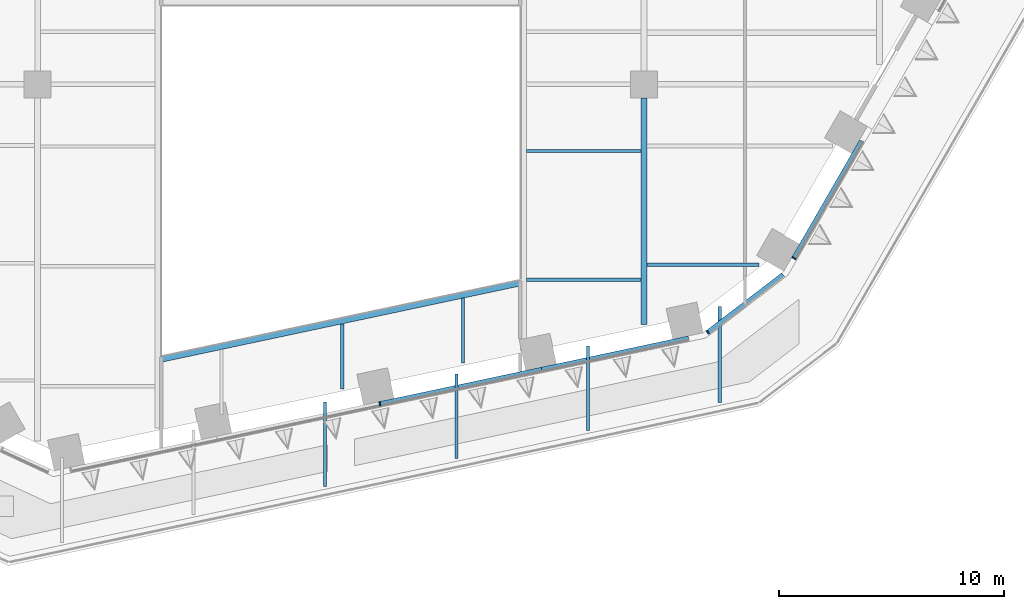
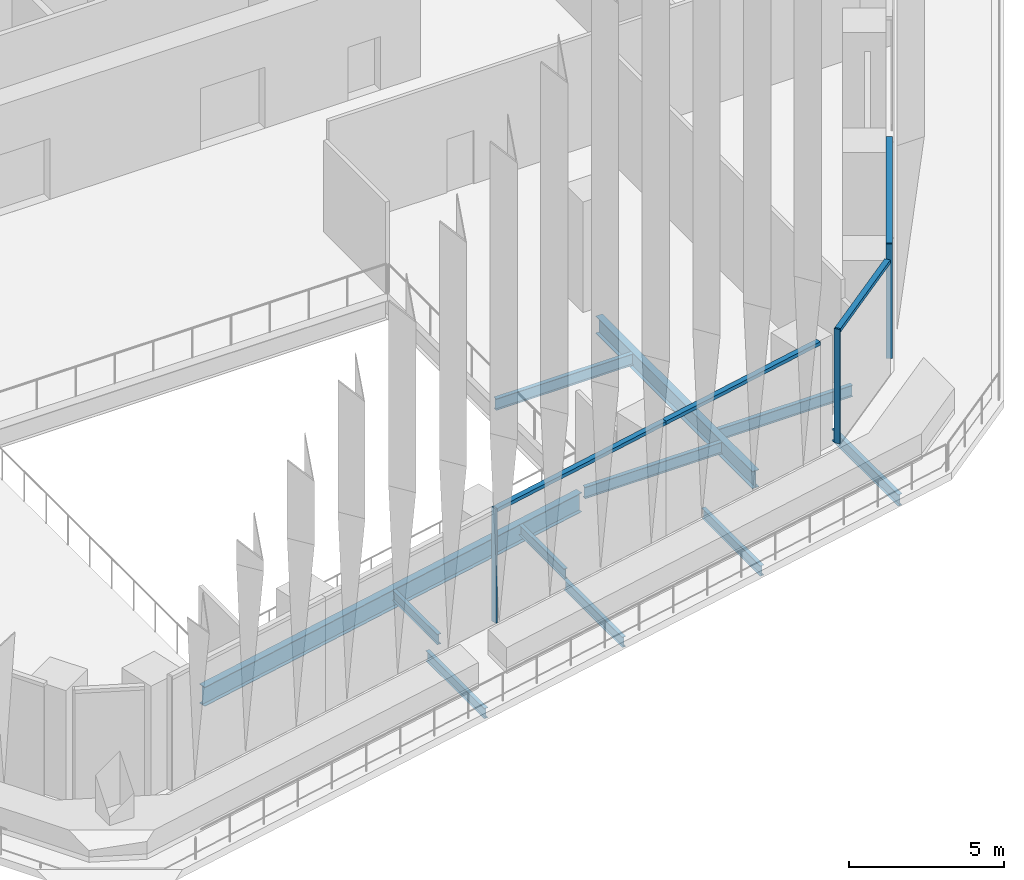
# One storey, part 4 of 27: 11 beams, 7 members, 3 elements without a shape of their own.
"""IFC4 building model written with IfcOpenShell, lengths in metres."""

from ifc_helpers import new_model, si_unit, direction, frame, origin, origin_2d, place, context, subcontext, project, spatial, rectangle, i_section, extrude, material, layer, layer_set, material_profile, profile_set, type_object, element, aggregate, save


model = new_model("IFC4")

# Units and contexts
model_context = context("Model", 3, precision=1e-05, world=origin(), true_north=direction((0.0, 1.0)))
body_context = subcontext(model_context, "Body", "Model", "MODEL_VIEW")
ifc_project = project(units=[si_unit("LENGTHUNIT", "METRE"), si_unit("AREAUNIT", "SQUARE_METRE"), si_unit("VOLUMEUNIT", "CUBIC_METRE"), si_unit("PLANEANGLEUNIT", "RADIAN"), si_unit("MASSUNIT", "GRAM", prefix="KILO")], contexts=[model_context])

# Site, building, storey
site_placement = place(None, origin())
site = spatial("IfcSite", under=ifc_project, at=site_placement, CompositionType="ELEMENT")
building_placement = place(site_placement, origin())
building = spatial("IfcBuilding", under=site, at=building_placement, Name="Isthmus Gate Tower", CompositionType="ELEMENT")
storey_placement = place(building_placement, frame((0.0, 0.0, 121.64990234375)))
storey = spatial("IfcBuildingStorey", under=building, at=storey_placement, Name="L29", CompositionType="ELEMENT", Elevation=121.64990234375)

# Curtain wall, member
ifc_material_1 = material(Name="Aluminium, pale champagne anodised", Category="aluminium")
ifc_layer = layer(ifc_material_1, 0.199951171875)
ifc_layer_set = layer_set([ifc_layer], Name="CW-1 UNITISED CURTAIN WALL 200 DEEP")
curtain_wall_type = type_object("IfcCurtainWallType", Name="CW-1 UNITISED CURTAIN WALL 200 DEEP", PredefinedType="NOTDEFINED", material=ifc_layer_set)
curtain_wall_1_placement = place(storey_placement, origin())
curtain_wall_1 = element("IfcCurtainWall", 1, at=curtain_wall_1_placement, inside=storey, type_object=curtain_wall_type, Name="CW-1 S L29", PredefinedType="NOTDEFINED")
ifc_material_2 = material(Name="Aluminium, pale champagne anodised", Category="aluminium")
ifc_material_profile_1 = material_profile(ifc_material_2, rectangle(XDim=0.06005859375, YDim=0.199951171875, at=origin_2d()), Name="60x200")
ifc_profile_set_1 = profile_set([ifc_material_profile_1], Name="Aluminium, pale champagne anodised")
member_type_1 = type_object("IfcMemberType", Name="CW-1 MULLION 60 X 200", PredefinedType="MULLION", material=ifc_profile_set_1)
member_1_placement = place(storey_placement, frame((1.740234375, -27.732421875, 0.0), z_axis=(0.0, 0.0, 1.0), x_axis=(0.978147600734, 0.207911690818, 0.0)))
member_1 = element("IfcMember", 2, at=member_1_placement, type_object=member_type_1, Name="CW-1 mullion", PredefinedType="MULLION", context=body_context, shape_type="SweptSolid", body=[
    extrude(rectangle(XDim=0.06005859375, YDim=0.199951171875, at=origin_2d()), origin(), (0.0, 0.0, 1.0), 4.5),
])

curtain_wall_2_placement = place(storey_placement, origin())
curtain_wall_2 = element("IfcCurtainWall", 3, at=curtain_wall_2_placement, inside=storey, type_object=curtain_wall_type, Name="CW-1 S-SE L29", PredefinedType="NOTDEFINED")
member_2_placement = place(storey_placement, frame((16.346435546875, -24.5419921875, 0.0), z_axis=(0.0, 0.0, 1.0), x_axis=(0.794188594387, 0.607671355706, 0.0)))
member_2 = element("IfcMember", 4, at=member_2_placement, type_object=member_type_1, Name="CW-1 mullion", PredefinedType="MULLION", context=body_context, shape_type="SweptSolid", body=[
    extrude(rectangle(XDim=0.06005859375, YDim=0.199951171875, at=origin_2d()), origin(), (0.0, 0.0, 1.0), 4.5),
])

curtain_wall_3_placement = place(storey_placement, origin())
curtain_wall_3 = element("IfcCurtainWall", 5, at=curtain_wall_3_placement, inside=storey, type_object=curtain_wall_type, Name="CW-1 SE L29", PredefinedType="NOTDEFINED")
member_3_placement = place(storey_placement, frame((20.18115234375, -21.245361328125, 0.0), z_axis=(0.0, 0.0, 1.0), x_axis=(0.5, 0.866025403784, 0.0)))
member_3 = element("IfcMember", 6, at=member_3_placement, type_object=member_type_1, Name="CW-1 mullion", PredefinedType="MULLION", context=body_context, shape_type="SweptSolid", body=[
    extrude(rectangle(XDim=0.06005859375, YDim=0.199951171875, at=origin_2d()), origin(), (0.0, 0.0, 1.0), 4.5),
])

# Member
ifc_material_3 = material(Name="Aluminium, pale champagne anodised", Category="aluminium")
ifc_material_profile_2 = material_profile(ifc_material_3, rectangle(XDim=0.199951171875, YDim=0.139892578125, at=origin_2d()), Name="200x140")
ifc_profile_set_2 = profile_set([ifc_material_profile_2], Name="Aluminium, pale champagne anodised")
member_type_2 = type_object("IfcMemberType", Name="CW-1 TRANSOM 200 X 140", PredefinedType="USERDEFINED", material=ifc_profile_set_2)
member_4_placement = place(storey_placement, frame((1.76953125, -27.72607421875, 4.43017578125), z_axis=(0.978146152746, 0.207918502948, 0.0), x_axis=(-0.207918502948, 0.978146152746, 0.0)))
member_4 = element("IfcMember", 7, at=member_4_placement, type_object=member_type_2, Name="CW-1 transom", ObjectType="TRANSOM", PredefinedType="USERDEFINED", context=body_context, shape_type="SweptSolid", body=[
    extrude(rectangle(XDim=0.199951171875, YDim=0.139892578125, at=origin_2d()), origin(), (0.0, 0.0, 1.0), 7.33056640625),
])

member_5_placement = place(storey_placement, frame((8.93994140625, -26.201904296875, 4.43017578125), z_axis=(0.978147628551, 0.207911559946, 0.0), x_axis=(-0.207911559946, 0.978147628551, 0.0)))
member_5 = element("IfcMember", 8, at=member_5_placement, type_object=member_type_2, Name="CW-1 transom", ObjectType="TRANSOM", PredefinedType="USERDEFINED", context=body_context, shape_type="SweptSolid", body=[
    extrude(rectangle(XDim=0.199951171875, YDim=0.139892578125, at=origin_2d()), origin(), (0.0, 0.0, 1.0), 6.69091796875),
])

aggregate(curtain_wall_1, [member_1, member_4, member_5])

member_6_placement = place(storey_placement, frame((16.3701171875, -24.52392578125, 4.43017578125), z_axis=(0.79419705805, 0.607660294066, 0.0), x_axis=(-0.607660294066, 0.79419705805, 0.0)))
member_6 = element("IfcMember", 9, at=member_6_placement, type_object=member_type_2, Name="CW-1 transom", ObjectType="TRANSOM", PredefinedType="USERDEFINED", context=body_context, shape_type="SweptSolid", body=[
    extrude(rectangle(XDim=0.199951171875, YDim=0.139892578125, at=origin_2d()), origin(), (0.0, 0.0, 1.0), 4.181640625),
])

aggregate(curtain_wall_2, [member_2, member_6])

member_7_placement = place(storey_placement, frame((20.196044921875, -21.219482421875, 4.43017578125), z_axis=(0.499996458184, 0.866027448643, 0.0), x_axis=(-0.866027448643, 0.499996458184, 0.0)))
member_7 = element("IfcMember", 10, at=member_7_placement, type_object=member_type_2, Name="CW-1 transom", ObjectType="TRANSOM", PredefinedType="USERDEFINED", context=body_context, shape_type="SweptSolid", body=[
    extrude(rectangle(XDim=0.199951171875, YDim=0.139892578125, at=origin_2d()), origin(), (0.0, 0.0, 1.0), 5.990234375),
])

aggregate(curtain_wall_3, [member_3, member_7])

# Beams
ifc_material_4 = material(Name="Structural steel ASTM A992 Gr 50", Category="steel")
ifc_material_profile_3 = material_profile(ifc_material_4, i_section(OverallWidth=0.1396484375, OverallDepth=0.4033203125, WebThickness=0.00634765625, FlangeThickness=0.010986328125, at=origin_2d()), Name="W16X31")
ifc_profile_set_3 = profile_set([ifc_material_profile_3], Name="Structural steel ASTM A992 Gr 50")
beam_type_1 = type_object("IfcBeamType", Name="STEEL FLOOR BEAM W16X31", PredefinedType="JOIST", material=ifc_profile_set_3)
beam_1_placement = place(storey_placement, frame((0.06591796875, -27.06103515625, -0.50146484375), z_axis=(0.0, 1.0, 0.0), x_axis=(-1.0, 0.0, 0.0)))
element("IfcBeam", 11, at=beam_1_placement, inside=storey, type_object=beam_type_1, Name="str-beam-L29-07-01", PredefinedType="JOIST", context=body_context, shape_type="SweptSolid", body=[
    extrude(i_section(OverallWidth=0.1396484375, OverallDepth=0.4033203125, WebThickness=0.00634765625, FlangeThickness=0.010986328125, at=origin_2d()), origin(), (0.0, 0.0, 1.0), 2.891845703125),
])
beam_2_placement = place(storey_placement, frame((5.443115234375, -25.91796875, -0.50146484375), z_axis=(0.0, 1.0, 0.0), x_axis=(-1.0, 0.0, 0.0)))
element("IfcBeam", 12, at=beam_2_placement, inside=storey, type_object=beam_type_1, Name="str-beam-L29-07-02", PredefinedType="JOIST", context=body_context, shape_type="SweptSolid", body=[
    extrude(i_section(OverallWidth=0.1396484375, OverallDepth=0.4033203125, WebThickness=0.00634765625, FlangeThickness=0.010986328125, at=origin_2d()), origin(), (0.0, 0.0, 1.0), 2.8916015625),
])
ifc_material_5 = material(Name="Structural steel ASTM A992 Gr 50", Category="steel")
ifc_material_profile_4 = material_profile(ifc_material_5, i_section(OverallWidth=0.15234375, OverallDepth=0.45068359375, WebThickness=0.0078125, FlangeThickness=0.010986328125, at=origin_2d()), Name="W18X35")
ifc_profile_set_4 = profile_set([ifc_material_profile_4], Name="Structural steel ASTM A992 Gr 50")
beam_type_2 = type_object("IfcBeamType", Name="STEEL FLOOR BEAM W18X35", PredefinedType="JOIST", material=ifc_profile_set_4)
for number, where, z_axis, x_axis, name in (
    (13, (8.263427734375, -22.206298828125, -0.525390625), (1.0, 0.0, 0.0), (0.0, 1.0, 0.0), "str-beam-L29-09-00"),
    (14, (8.263427734375, -16.471923828125, -0.525390625), (1.0, 0.0, 0.0), (0.0, 1.0, 0.0), "str-beam-L29-09-01"),
):
    element("IfcBeam", number, at=place(storey_placement, frame(where, z_axis=z_axis, x_axis=x_axis)), inside=storey, type_object=beam_type_2, Name=name, PredefinedType="JOIST", context=body_context, shape_type="SweptSolid", body=[
        extrude(i_section(OverallWidth=0.15234375, OverallDepth=0.45068359375, WebThickness=0.0078125, FlangeThickness=0.010986328125, at=origin_2d()), origin(), (0.0, 0.0, 1.0), 5.109619140625),
    ])
beam_3_placement = place(storey_placement, frame((13.626953125, -21.537353515625, -0.525390625), z_axis=(1.0, 0.0, 0.0), x_axis=(0.0, 1.0, 0.0)))
element("IfcBeam", 15, at=beam_3_placement, inside=storey, type_object=beam_type_2, Name="str-beam-L29-11-00", PredefinedType="JOIST", context=body_context, shape_type="SweptSolid", body=[
    extrude(i_section(OverallWidth=0.15234375, OverallDepth=0.45068359375, WebThickness=0.0078125, FlangeThickness=0.010986328125, at=origin_2d()), origin(), (0.0, 0.0, 1.0), 4.99267578125),
])
ifc_material_6 = material(Name="Structural steel ASTM A992 Gr 50", Category="steel")
ifc_material_profile_5 = material_profile(ifc_material_6, i_section(OverallWidth=0.25390625, OverallDepth=0.679443359375, WebThickness=0.010986328125, FlangeThickness=0.015869140625, at=origin_2d()), Name="W27X84")
ifc_profile_set_5 = profile_set([ifc_material_profile_5], Name="Structural steel ASTM A992 Gr 50")
beam_type_3 = type_object("IfcBeamType", Name="STEEL GIRDER W27X84", PredefinedType="BEAM", material=ifc_profile_set_5)
beam_4_placement = place(storey_placement, frame((13.5, -24.20556640625, -0.6396484375), z_axis=(0.0, 1.0, 0.0), x_axis=(-1.0, 0.0, 0.0)))
element("IfcBeam", 16, at=beam_4_placement, inside=storey, type_object=beam_type_3, Name="str-girder-L29-09", PredefinedType="BEAM", context=body_context, shape_type="SweptSolid", body=[
    extrude(i_section(OverallWidth=0.25390625, OverallDepth=0.679443359375, WebThickness=0.010986328125, FlangeThickness=0.015869140625, at=origin_2d()), origin(), (0.0, 0.0, 1.0), 10.10546875),
])
ifc_material_7 = material(Name="Structural steel ASTM A992 Gr 50", Category="steel")
ifc_material_profile_6 = material_profile(ifc_material_7, i_section(OverallWidth=0.1396484375, OverallDepth=0.4033203125, WebThickness=0.00634765625, FlangeThickness=0.010986328125, at=origin_2d()), Name="W16X31")
ifc_profile_set_6 = profile_set([ifc_material_profile_6], Name="Structural steel ASTM A992 Gr 50")
beam_type_4 = type_object("IfcBeamType", Name="STEEL LEDGE BEAM W16X31", PredefinedType="JOIST", material=ifc_profile_set_6)
beam_5_placement = place(storey_placement, frame((-0.702392578125, -31.4189453125, -0.50146484375), z_axis=(0.0, 1.0, 0.0), x_axis=(-1.0, 0.0, 0.0)))
element("IfcBeam", 17, at=beam_5_placement, inside=storey, type_object=beam_type_4, Name="str-ringbeam-L29-00-09", PredefinedType="JOIST", context=body_context, shape_type="SweptSolid", body=[
    extrude(i_section(OverallWidth=0.1396484375, OverallDepth=0.4033203125, WebThickness=0.00634765625, FlangeThickness=0.010986328125, at=origin_2d()), origin(), (0.0, 0.0, 1.0), 3.77587890625),
])
for number, where, z_axis, x_axis, name in (
    (18, (5.15478515625, -30.174072265625, -0.50146484375), (0.0, 1.0, 0.0), (-1.0, 0.0, 0.0), "str-ringbeam-L29-00-11"),
    (19, (11.011962890625, -28.92919921875, -0.50146484375), (0.0, 1.0, 0.0), (-1.0, 0.0, 0.0), "str-ringbeam-L29-00-13"),
):
    element("IfcBeam", number, at=place(storey_placement, frame(where, z_axis=z_axis, x_axis=x_axis)), inside=storey, type_object=beam_type_4, Name=name, PredefinedType="JOIST", context=body_context, shape_type="SweptSolid", body=[
        extrude(i_section(OverallWidth=0.1396484375, OverallDepth=0.4033203125, WebThickness=0.00634765625, FlangeThickness=0.010986328125, at=origin_2d()), origin(), (0.0, 0.0, 1.0), 3.776123046875),
    ])
ifc_material_8 = material(Name="Structural steel ASTM A992 Gr 50", Category="steel")
ifc_material_profile_7 = material_profile(ifc_material_8, i_section(OverallWidth=0.15234375, OverallDepth=0.45068359375, WebThickness=0.0078125, FlangeThickness=0.010986328125, at=origin_2d()), Name="W18X35")
ifc_profile_set_7 = profile_set([ifc_material_profile_7], Name="Structural steel ASTM A992 Gr 50")
beam_type_5 = type_object("IfcBeamType", Name="STEEL LEDGE BEAM W18X35", PredefinedType="JOIST", material=ifc_profile_set_7)
beam_6_placement = place(storey_placement, frame((16.869140625, -27.68408203125, -0.525390625), z_axis=(0.0, 1.0, 0.0), x_axis=(-1.0, 0.0, 0.0)))
element("IfcBeam", 20, at=beam_6_placement, inside=storey, type_object=beam_type_5, Name="str-ringbeam-L29-00-15", PredefinedType="JOIST", context=body_context, shape_type="SweptSolid", body=[
    extrude(i_section(OverallWidth=0.15234375, OverallDepth=0.45068359375, WebThickness=0.0078125, FlangeThickness=0.010986328125, at=origin_2d()), origin(), (0.0, 0.0, 1.0), 4.29150390625),
])
ifc_material_9 = material(Name="Structural steel ASTM A992 Gr 50", Category="steel")
ifc_material_profile_8 = material_profile(ifc_material_9, i_section(OverallWidth=0.2666015625, OverallDepth=0.7587890625, WebThickness=0.014404296875, FlangeThickness=0.01904296875, at=origin_2d()), Name="W30X108")
ifc_profile_set_8 = profile_set([ifc_material_profile_8], Name="Structural steel ASTM A992 Gr 50")
beam_type_6 = type_object("IfcBeamType", Name="STEEL TRIMMER W30X108", PredefinedType="BEAM", material=ifc_profile_set_8)
beam_7_placement = place(storey_placement, frame((-8.0, -25.747314453125, -0.67919921875), z_axis=(0.978147924985, 0.20791016533, 0.0), x_axis=(-0.20791016533, 0.978147924985, 0.0)))
element("IfcBeam", 21, at=beam_7_placement, inside=storey, type_object=beam_type_6, Name="str-trimmer-L29-03", PredefinedType="BEAM", context=body_context, shape_type="SweptSolid", body=[
    extrude(i_section(OverallWidth=0.2666015625, OverallDepth=0.7587890625, WebThickness=0.014404296875, FlangeThickness=0.01904296875, at=origin_2d()), origin(), (0.0, 0.0, 1.0), 16.357421875),
])

save(model, "model.ifc")
